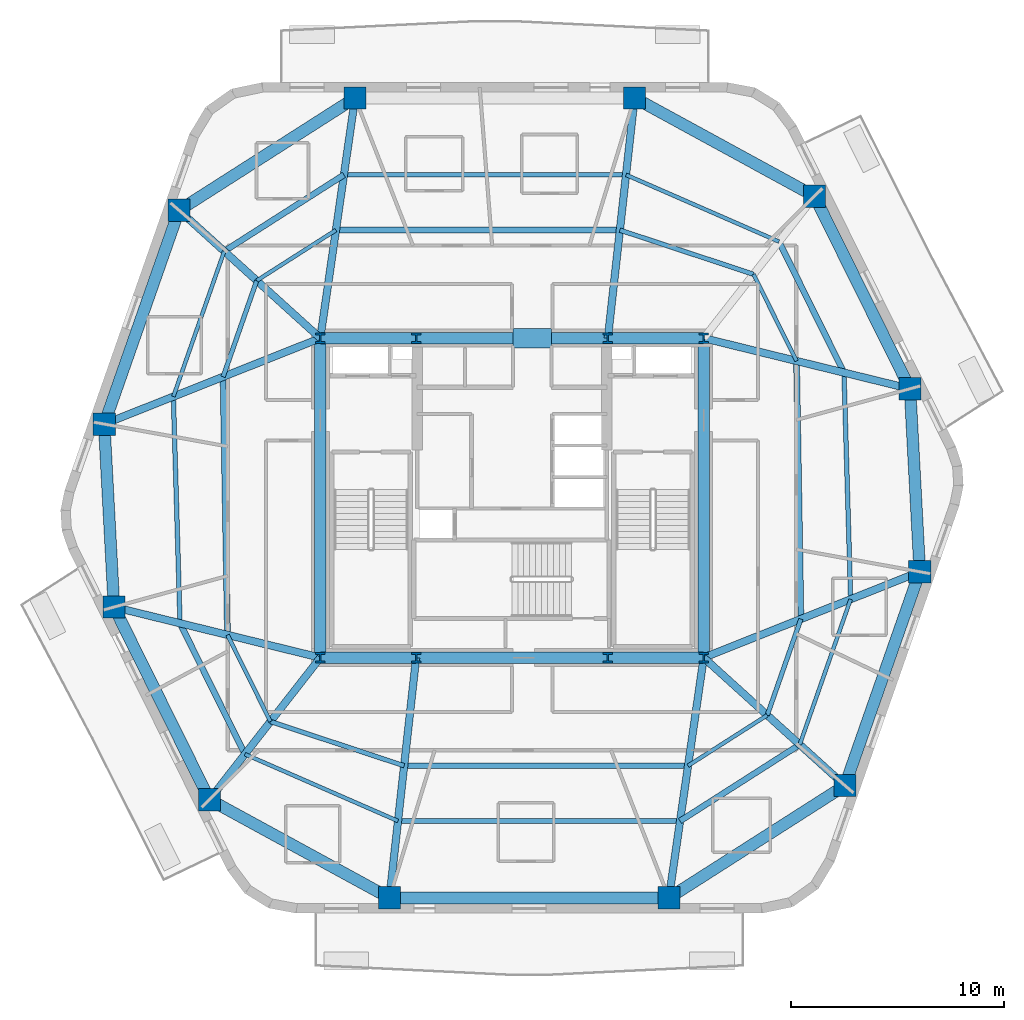
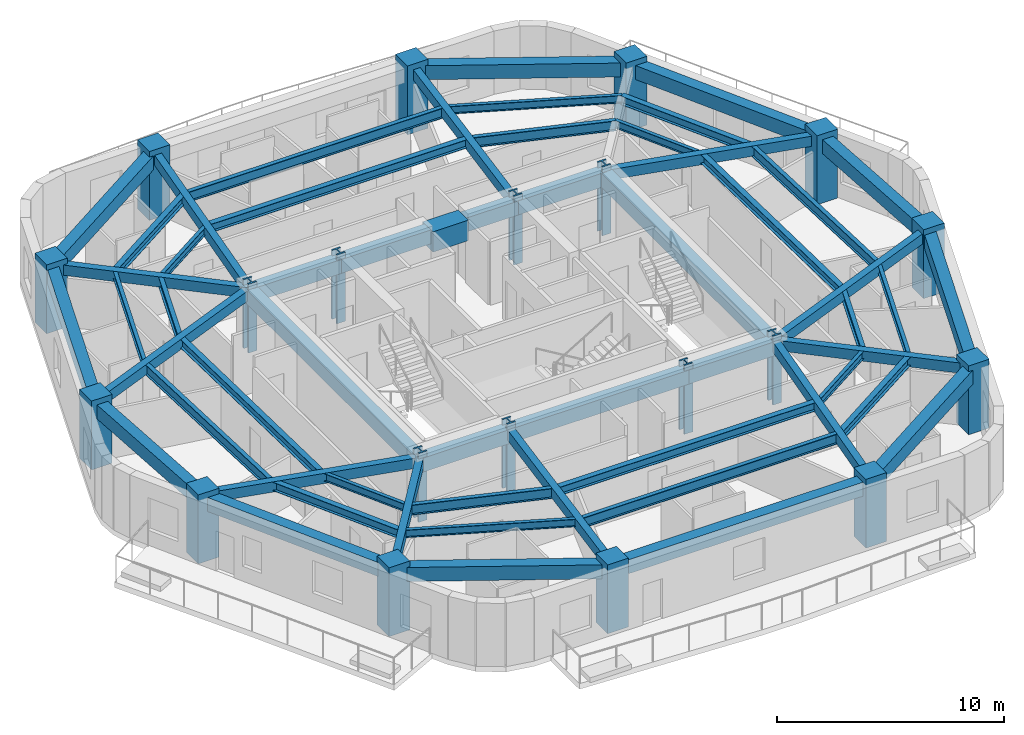
# One storey, part 1 of 10: 55 beams, 20 columns.
"""IFC4 building model written with IfcOpenShell, lengths in metres."""

from ifc_helpers import new_model, si_unit, direction, frame, origin, origin_2d, place, context, subcontext, project, spatial, rectangle, i_section, extrude, material, material_profile, profile_set, type_object, element, save


model = new_model("IFC4")

# Units and contexts
model_context = context("Model", 3, precision=1e-05, world=origin(), true_north=direction((0.0, 1.0)))
body_context = subcontext(model_context, "Body", "Model", "MODEL_VIEW")
ifc_project = project(units=[si_unit("LENGTHUNIT", "METRE"), si_unit("AREAUNIT", "SQUARE_METRE"), si_unit("VOLUMEUNIT", "CUBIC_METRE"), si_unit("PLANEANGLEUNIT", "RADIAN"), si_unit("MASSUNIT", "GRAM", prefix="KILO")], contexts=[model_context])

# Site, building, storey
site_placement = place(None, origin())
site = spatial("IfcSite", under=ifc_project, at=site_placement, CompositionType="ELEMENT")
building_placement = place(site_placement, origin())
building = spatial("IfcBuilding", under=site, at=building_placement, Name="Kilnhurst Terrace Hotel", CompositionType="ELEMENT")
storey_placement = place(building_placement, frame((0.0, 0.0, 148.0)))
storey = spatial("IfcBuildingStorey", under=building, at=storey_placement, Name="L36", CompositionType="ELEMENT", Elevation=148.0)

# Columns
ifc_material_1 = material(Name="Concrete C80/95", Category="concrete")
ifc_material_profile_1 = material_profile(ifc_material_1, rectangle(XDim=1.050048828125, YDim=1.050048828125, at=origin_2d()), Name="RC1050X1050")
ifc_profile_set_1 = profile_set([ifc_material_profile_1], Name="Concrete C80/95")
column_type_1 = type_object("IfcColumnType", Name="COL-RC-1050", PredefinedType="COLUMN", material=ifc_profile_set_1)
for number, where, z_axis, x_axis, name in (
    (1, (-5.7548828125, -18.780029296875, 0.0), (0.0, 0.0, 1.0), (1.0, 0.0, 0.0), "L36 Structural Column PC-F11"),
    (2, (7.368896484375, -18.780029296875, 0.0), (0.0, 0.0, 1.0), (1.0, 0.0, 0.0), "L36 Structural Column PC-F12"),
    (3, (15.633056640625, -13.5048828125, 0.0), (0.0, 0.0, 1.0), (1.0, 0.0, 0.0), "L36 Structural Column PC-F21"),
    (4, (19.14794921875, -3.467041015625, 0.0), (0.0, 0.0, 1.0), (1.0, 0.0, 0.0), "L36 Structural Column PC-F22"),
    (5, (18.68701171875, 5.1240234375, 0.0), (0.0, 0.0, 1.0), (1.0, 0.0, 0.0), "L36 Structural Column PC-F31"),
    (6, (14.2041015625, 14.166015625, 0.0), (0.0, 0.0, 1.0), (1.0, 0.0, 0.0), "L36 Structural Column PC-F32"),
    (7, (5.7548828125, 18.780029296875, 0.0), (0.0, 0.0, 1.0), (1.0, 0.0, 0.0), "L36 Structural Column PC-F41"),
    (8, (-7.368896484375, 18.780029296875, 0.0), (0.0, 0.0, 1.0), (1.0, 0.0, 0.0), "L36 Structural Column PC-F42"),
    (9, (-15.633056640625, 13.5048828125, 0.0), (0.0, 0.0, 1.0), (1.0, 0.0, 0.0), "L36 Structural Column PC-F51"),
    (10, (-19.14794921875, 3.467041015625, 0.0), (0.0, 0.0, 1.0), (1.0, 0.0, 0.0), "L36 Structural Column PC-F52"),
    (11, (-18.68701171875, -5.1240234375, 0.0), (0.0, 0.0, 1.0), (1.0, 0.0, 0.0), "L36 Structural Column PC-F61"),
    (12, (-14.2041015625, -14.166015625, 0.0), (0.0, 0.0, 1.0), (1.0, 0.0, 0.0), "L36 Structural Column PC-F62"),
):
    element("IfcColumn", number, at=place(storey_placement, frame(where, z_axis=z_axis, x_axis=x_axis)), inside=storey, type_object=column_type_1, Name=name, PredefinedType="COLUMN", context=body_context, shape_type="SweptSolid", body=[
        extrude(rectangle(XDim=1.050048828125, YDim=1.050048828125, at=origin_2d()), origin(), (0.0, 0.0, 1.0), 3.699951171875),
    ])
ifc_material_2 = material(Name="Steel ASTM A992 Grade 50", Category="steel")
ifc_material_profile_2 = material_profile(ifc_material_2, i_section(OverallWidth=0.43212890625, OverallDepth=0.497802734375, WebThickness=0.0556640625, FlangeThickness=0.0888671875, at=origin_2d()), Name="W14X500")
ifc_profile_set_2 = profile_set([ifc_material_profile_2], Name="Steel ASTM A992 Grade 50")
column_type_2 = type_object("IfcColumnType", Name="COL-STL-W14X500", PredefinedType="COLUMN", material=ifc_profile_set_2)
for number, where, z_axis, x_axis, name in (
    (13, (-9.0, -7.5, 0.0), (0.0, 0.0, 1.0), (1.0, 0.0, 0.0), "L36 Structural Column CC-SW"),
    (14, (-4.5, -7.5, 0.0), (0.0, 0.0, 1.0), (1.0, 0.0, 0.0), "L36 Structural Column CC-SC1"),
    (15, (4.5, -7.5, 0.0), (0.0, 0.0, 1.0), (1.0, 0.0, 0.0), "L36 Structural Column CC-SC2"),
    (16, (9.0, -7.5, 0.0), (0.0, 0.0, 1.0), (1.0, 0.0, 0.0), "L36 Structural Column CC-SE"),
    (17, (9.0, 7.5, 0.0), (0.0, 0.0, 1.0), (1.0, 0.0, 0.0), "L36 Structural Column CC-NE"),
    (18, (4.5, 7.5, 0.0), (0.0, 0.0, 1.0), (1.0, 0.0, 0.0), "L36 Structural Column CC-NC2"),
    (19, (-4.5, 7.5, 0.0), (0.0, 0.0, 1.0), (1.0, 0.0, 0.0), "L36 Structural Column CC-NC1"),
    (20, (-9.0, 7.5, 0.0), (0.0, 0.0, 1.0), (1.0, 0.0, 0.0), "L36 Structural Column CC-NW"),
):
    element("IfcColumn", number, at=place(storey_placement, frame(where, z_axis=z_axis, x_axis=x_axis)), inside=storey, type_object=column_type_2, Name=name, PredefinedType="COLUMN", context=body_context, shape_type="SweptSolid", body=[
        extrude(i_section(OverallWidth=0.43212890625, OverallDepth=0.497802734375, WebThickness=0.0556640625, FlangeThickness=0.0888671875, at=origin_2d()), origin(), (0.0, 0.0, 1.0), 3.699951171875),
    ])

# Beams
ifc_material_3 = material(Name="Concrete C50/60", Category="concrete")
ifc_material_profile_3 = material_profile(ifc_material_3, rectangle(XDim=0.35009765625, YDim=0.550048828125, at=origin_2d()), Name="RC350X550")
ifc_profile_set_3 = profile_set([ifc_material_profile_3], Name="Concrete C50/60")
beam_type_1 = type_object("IfcBeamType", Name="BM-RAD-350X550", PredefinedType="BEAM", material=ifc_profile_set_3)
beam_1_placement = place(storey_placement, frame((-4.5, -7.5, 3.125), z_axis=(-0.110566099441, -0.993868772854, 0.0), x_axis=(0.993868772854, -0.110566099441, 0.0)))
element("IfcBeam", 21, at=beam_1_placement, inside=storey, type_object=beam_type_1, Name="L36 Radial Floor Beam 1", PredefinedType="BEAM", context=body_context, shape_type="SweptSolid", body=[
    extrude(rectangle(XDim=0.35009765625, YDim=0.550048828125, at=origin_2d()), origin(), (0.0, 0.0, 1.0), 11.349609375),
])
beam_2_placement = place(storey_placement, frame((9.0, -7.5, 3.125), z_axis=(-0.143112538238, -0.989706421824, 0.0), x_axis=(0.989706421824, -0.143112538238, 0.0)))
element("IfcBeam", 22, at=beam_2_placement, inside=storey, type_object=beam_type_1, Name="L36 Radial Floor Beam 2", PredefinedType="BEAM", context=body_context, shape_type="SweptSolid", body=[
    extrude(rectangle(XDim=0.35009765625, YDim=0.550048828125, at=origin_2d()), origin(), (0.0, 0.0, 1.0), 11.3974609375),
])
beam_3_placement = place(storey_placement, frame((9.0, -7.5, 3.125), z_axis=(0.741338585645, -0.671131210296, 0.0), x_axis=(0.671131210296, 0.741338585645, 0.0)))
element("IfcBeam", 23, at=beam_3_placement, inside=storey, type_object=beam_type_1, Name="L36 Radial Floor Beam 3", PredefinedType="BEAM", context=body_context, shape_type="SweptSolid", body=[
    extrude(rectangle(XDim=0.35009765625, YDim=0.550048828125, at=origin_2d()), origin(), (0.0, 0.0, 1.0), 8.947509765625),
])
beam_4_placement = place(storey_placement, frame((9.0, -7.5, 3.125), z_axis=(0.929302373458, 0.369319778356, 0.0), x_axis=(-0.369319778356, 0.929302373458, 0.0)))
element("IfcBeam", 24, at=beam_4_placement, inside=storey, type_object=beam_type_1, Name="L36 Radial Floor Beam 4", PredefinedType="BEAM", context=body_context, shape_type="SweptSolid", body=[
    extrude(rectangle(XDim=0.35009765625, YDim=0.550048828125, at=origin_2d()), origin(), (0.0, 0.0, 1.0), 10.919921875),
])
beam_5_placement = place(storey_placement, frame((9.0, 7.5, 3.125), z_axis=(0.971212767405, -0.238213686486, 0.0), x_axis=(0.238213686486, 0.971212767405, 0.0)))
element("IfcBeam", 25, at=beam_5_placement, inside=storey, type_object=beam_type_1, Name="L36 Radial Floor Beam 5", PredefinedType="BEAM", context=body_context, shape_type="SweptSolid", body=[
    extrude(rectangle(XDim=0.35009765625, YDim=0.550048828125, at=origin_2d()), origin(), (0.0, 0.0, 1.0), 9.97412109375),
])
beam_6_placement = place(storey_placement, frame((4.5, 7.5, 3.125), z_axis=(0.110566099441, 0.993868772854, 0.0), x_axis=(-0.993868772854, 0.110566099441, 0.0)))
element("IfcBeam", 26, at=beam_6_placement, inside=storey, type_object=beam_type_1, Name="L36 Radial Floor Beam 7", PredefinedType="BEAM", context=body_context, shape_type="SweptSolid", body=[
    extrude(rectangle(XDim=0.35009765625, YDim=0.550048828125, at=origin_2d()), origin(), (0.0, 0.0, 1.0), 11.349609375),
])
beam_7_placement = place(storey_placement, frame((-9.0, 7.5, 3.125), z_axis=(0.143112538238, 0.989706421824, 0.0), x_axis=(-0.989706421824, 0.143112538238, 0.0)))
element("IfcBeam", 27, at=beam_7_placement, inside=storey, type_object=beam_type_1, Name="L36 Radial Floor Beam 8", PredefinedType="BEAM", context=body_context, shape_type="SweptSolid", body=[
    extrude(rectangle(XDim=0.35009765625, YDim=0.550048828125, at=origin_2d()), origin(), (0.0, 0.0, 1.0), 11.3974609375),
])
beam_8_placement = place(storey_placement, frame((-9.0, 7.5, 3.125), z_axis=(-0.741338585645, 0.671131210296, 0.0), x_axis=(-0.671131210296, -0.741338585645, 0.0)))
element("IfcBeam", 28, at=beam_8_placement, inside=storey, type_object=beam_type_1, Name="L36 Radial Floor Beam 9", PredefinedType="BEAM", context=body_context, shape_type="SweptSolid", body=[
    extrude(rectangle(XDim=0.35009765625, YDim=0.550048828125, at=origin_2d()), origin(), (0.0, 0.0, 1.0), 8.947509765625),
])
beam_9_placement = place(storey_placement, frame((-9.0, 7.5, 3.125), z_axis=(-0.929302373458, -0.369319778356, 0.0), x_axis=(0.369319778356, -0.929302373458, 0.0)))
element("IfcBeam", 29, at=beam_9_placement, inside=storey, type_object=beam_type_1, Name="L36 Radial Floor Beam 10", PredefinedType="BEAM", context=body_context, shape_type="SweptSolid", body=[
    extrude(rectangle(XDim=0.35009765625, YDim=0.550048828125, at=origin_2d()), origin(), (0.0, 0.0, 1.0), 10.919921875),
])
beam_10_placement = place(storey_placement, frame((-9.0, -7.5, 3.125), z_axis=(-0.971212767405, 0.238213686486, 0.0), x_axis=(-0.238213686486, -0.971212767405, 0.0)))
element("IfcBeam", 30, at=beam_10_placement, inside=storey, type_object=beam_type_1, Name="L36 Radial Floor Beam 11", PredefinedType="BEAM", context=body_context, shape_type="SweptSolid", body=[
    extrude(rectangle(XDim=0.35009765625, YDim=0.550048828125, at=origin_2d()), origin(), (0.0, 0.0, 1.0), 9.97412109375),
])
beam_11_placement = place(storey_placement, frame((-9.0, -7.5, 3.125), z_axis=(-0.615370616457, -0.78823791104, 0.0), x_axis=(0.78823791104, -0.615370616457, 0.0)))
element("IfcBeam", 31, at=beam_11_placement, inside=storey, type_object=beam_type_1, Name="L36 Radial Floor Beam 12", PredefinedType="BEAM", context=body_context, shape_type="SweptSolid", body=[
    extrude(rectangle(XDim=0.35009765625, YDim=0.550048828125, at=origin_2d()), origin(), (0.0, 0.0, 1.0), 8.456787109375),
])
ifc_material_profile_4 = material_profile(ifc_material_3, rectangle(XDim=0.550048828125, YDim=0.75, at=origin_2d()), Name="RC550X750")
ifc_profile_set_4 = profile_set([ifc_material_profile_4], Name="Concrete C50/60")
beam_type_2 = type_object("IfcBeamType", Name="BM-SPN-550X750", PredefinedType="SPANDREL", material=ifc_profile_set_4)
beam_12_placement = place(storey_placement, frame((-9.0, 7.5, 3.02490234375), z_axis=(1.0, 0.0, 0.0), x_axis=(0.0, 1.0, 0.0)))
element("IfcBeam", 32, at=beam_12_placement, inside=storey, type_object=beam_type_2, Name="L36 Core Tie Beam CC-NW to CC-NC1", PredefinedType="SPANDREL", context=body_context, shape_type="SweptSolid", body=[
    extrude(rectangle(XDim=0.550048828125, YDim=0.75, at=origin_2d()), origin(), (0.0, 0.0, 1.0), 4.5),
])
beam_13_placement = place(storey_placement, frame((-4.5, 7.5, 3.02490234375), z_axis=(1.0, 0.0, 0.0), x_axis=(0.0, 1.0, 0.0)))
element("IfcBeam", 33, at=beam_13_placement, inside=storey, type_object=beam_type_2, Name="L36 Core Tie Beam CC-NC1 to CC-NC2", PredefinedType="SPANDREL", context=body_context, shape_type="SweptSolid", body=[
    extrude(rectangle(XDim=0.550048828125, YDim=0.75, at=origin_2d()), origin(), (0.0, 0.0, 1.0), 9.0),
])
for number, where, z_axis, x_axis, name in (
    (34, (4.5, 7.5, 3.02490234375), (1.0, 0.0, 0.0), (0.0, 1.0, 0.0), "L36 Core Tie Beam CC-NC2 to CC-NE"),
    (35, (-9.0, -7.5, 3.02490234375), (1.0, 0.0, 0.0), (0.0, 1.0, 0.0), "L36 Core Tie Beam CC-SW to CC-SC1"),
):
    element("IfcBeam", number, at=place(storey_placement, frame(where, z_axis=z_axis, x_axis=x_axis)), inside=storey, type_object=beam_type_2, Name=name, PredefinedType="SPANDREL", context=body_context, shape_type="SweptSolid", body=[
        extrude(rectangle(XDim=0.550048828125, YDim=0.75, at=origin_2d()), origin(), (0.0, 0.0, 1.0), 4.5),
    ])
beam_14_placement = place(storey_placement, frame((-4.5, -7.5, 3.02490234375), z_axis=(1.0, 0.0, 0.0), x_axis=(0.0, 1.0, 0.0)))
element("IfcBeam", 36, at=beam_14_placement, inside=storey, type_object=beam_type_2, Name="L36 Core Tie Beam CC-SC1 to CC-SC2", PredefinedType="SPANDREL", context=body_context, shape_type="SweptSolid", body=[
    extrude(rectangle(XDim=0.550048828125, YDim=0.75, at=origin_2d()), origin(), (0.0, 0.0, 1.0), 9.0),
])
beam_15_placement = place(storey_placement, frame((4.5, -7.5, 3.02490234375), z_axis=(1.0, 0.0, 0.0), x_axis=(0.0, 1.0, 0.0)))
element("IfcBeam", 37, at=beam_15_placement, inside=storey, type_object=beam_type_2, Name="L36 Core Tie Beam CC-SC2 to CC-SE", PredefinedType="SPANDREL", context=body_context, shape_type="SweptSolid", body=[
    extrude(rectangle(XDim=0.550048828125, YDim=0.75, at=origin_2d()), origin(), (0.0, 0.0, 1.0), 4.5),
])
for number, where, z_axis, x_axis, name in (
    (38, (-9.0, -7.5, 3.02490234375), (0.0, 1.0, 0.0), (-1.0, 0.0, 0.0), "L36 Core Tie Beam CC-SW to CC-NW"),
    (39, (9.0, -7.5, 3.02490234375), (0.0, 1.0, 0.0), (-1.0, 0.0, 0.0), "L36 Core Tie Beam CC-SE to CC-NE"),
):
    element("IfcBeam", number, at=place(storey_placement, frame(where, z_axis=z_axis, x_axis=x_axis)), inside=storey, type_object=beam_type_2, Name=name, PredefinedType="SPANDREL", context=body_context, shape_type="SweptSolid", body=[
        extrude(rectangle(XDim=0.550048828125, YDim=0.75, at=origin_2d()), origin(), (0.0, 0.0, 1.0), 15.0),
    ])
beam_16_placement = place(storey_placement, frame((-5.7548828125, -18.780029296875, 3.02490234375), z_axis=(1.0, 0.0, 0.0), x_axis=(0.0, 1.0, 0.0)))
element("IfcBeam", 40, at=beam_16_placement, inside=storey, type_object=beam_type_2, Name="L36 Perimeter Spandrel Beam 1", PredefinedType="SPANDREL", context=body_context, shape_type="SweptSolid", body=[
    extrude(rectangle(XDim=0.550048828125, YDim=0.75, at=origin_2d()), origin(), (0.0, 0.0, 1.0), 13.123779296875),
])
beam_17_placement = place(storey_placement, frame((7.368896484375, -18.780029296875, 3.02490234375), z_axis=(0.842915241256, 0.538046369803, 0.0), x_axis=(-0.538046369803, 0.842915241256, 0.0)))
element("IfcBeam", 41, at=beam_17_placement, inside=storey, type_object=beam_type_2, Name="L36 Perimeter Spandrel Beam 2", PredefinedType="SPANDREL", context=body_context, shape_type="SweptSolid", body=[
    extrude(rectangle(XDim=0.550048828125, YDim=0.75, at=origin_2d()), origin(), (0.0, 0.0, 1.0), 9.80419921875),
])
beam_18_placement = place(storey_placement, frame((15.633056640625, -13.5048828125, 3.02490234375), z_axis=(0.330488460168, 0.943810032632, 0.0), x_axis=(-0.943810032632, 0.330488460168, 0.0)))
element("IfcBeam", 42, at=beam_18_placement, inside=storey, type_object=beam_type_2, Name="L36 Perimeter Spandrel Beam 3", PredefinedType="SPANDREL", context=body_context, shape_type="SweptSolid", body=[
    extrude(rectangle(XDim=0.550048828125, YDim=0.75, at=origin_2d()), origin(), (0.0, 0.0, 1.0), 10.635498046875),
])
beam_19_placement = place(storey_placement, frame((19.14794921875, -3.467041015625, 3.02490234375), z_axis=(-0.053576072051, 0.998563770875, 0.0), x_axis=(-0.998563770875, -0.053576072051, 0.0)))
element("IfcBeam", 43, at=beam_19_placement, inside=storey, type_object=beam_type_2, Name="L36 Perimeter Spandrel Beam 4", PredefinedType="SPANDREL", context=body_context, shape_type="SweptSolid", body=[
    extrude(rectangle(XDim=0.550048828125, YDim=0.75, at=origin_2d()), origin(), (0.0, 0.0, 1.0), 8.603515625),
])
beam_20_placement = place(storey_placement, frame((18.68701171875, 5.1240234375, 3.02490234375), z_axis=(-0.444192032261, 0.895931603682, 0.0), x_axis=(-0.895931603682, -0.444192032261, 0.0)))
element("IfcBeam", 44, at=beam_20_placement, inside=storey, type_object=beam_type_2, Name="L36 Perimeter Spandrel Beam 5", PredefinedType="SPANDREL", context=body_context, shape_type="SweptSolid", body=[
    extrude(rectangle(XDim=0.550048828125, YDim=0.75, at=origin_2d()), origin(), (0.0, 0.0, 1.0), 10.09228515625),
])
beam_21_placement = place(storey_placement, frame((14.2041015625, 14.166015625, 3.02490234375), z_axis=(-0.87766189723, 0.479280287672, 0.0), x_axis=(-0.479280287672, -0.87766189723, 0.0)))
element("IfcBeam", 45, at=beam_21_placement, inside=storey, type_object=beam_type_2, Name="L36 Perimeter Spandrel Beam 6", PredefinedType="SPANDREL", context=body_context, shape_type="SweptSolid", body=[
    extrude(rectangle(XDim=0.550048828125, YDim=0.75, at=origin_2d()), origin(), (0.0, 0.0, 1.0), 9.626953125),
])
beam_22_placement = place(storey_placement, frame((-7.368896484375, 18.780029296875, 3.02490234375), z_axis=(-0.842915241256, -0.538046369803, 0.0), x_axis=(0.538046369803, -0.842915241256, 0.0)))
element("IfcBeam", 46, at=beam_22_placement, inside=storey, type_object=beam_type_2, Name="L36 Perimeter Spandrel Beam 8", PredefinedType="SPANDREL", context=body_context, shape_type="SweptSolid", body=[
    extrude(rectangle(XDim=0.550048828125, YDim=0.75, at=origin_2d()), origin(), (0.0, 0.0, 1.0), 9.80419921875),
])
beam_23_placement = place(storey_placement, frame((-15.633056640625, 13.5048828125, 3.02490234375), z_axis=(-0.330488460168, -0.943810032632, 0.0), x_axis=(0.943810032632, -0.330488460168, 0.0)))
element("IfcBeam", 47, at=beam_23_placement, inside=storey, type_object=beam_type_2, Name="L36 Perimeter Spandrel Beam 9", PredefinedType="SPANDREL", context=body_context, shape_type="SweptSolid", body=[
    extrude(rectangle(XDim=0.550048828125, YDim=0.75, at=origin_2d()), origin(), (0.0, 0.0, 1.0), 10.635498046875),
])
beam_24_placement = place(storey_placement, frame((-19.14794921875, 3.467041015625, 3.02490234375), z_axis=(0.053576072051, -0.998563770875, 0.0), x_axis=(0.998563770875, 0.053576072051, 0.0)))
element("IfcBeam", 48, at=beam_24_placement, inside=storey, type_object=beam_type_2, Name="L36 Perimeter Spandrel Beam 10", PredefinedType="SPANDREL", context=body_context, shape_type="SweptSolid", body=[
    extrude(rectangle(XDim=0.550048828125, YDim=0.75, at=origin_2d()), origin(), (0.0, 0.0, 1.0), 8.603515625),
])
beam_25_placement = place(storey_placement, frame((-18.68701171875, -5.1240234375, 3.02490234375), z_axis=(0.444192032261, -0.895931603682, 0.0), x_axis=(0.895931603682, 0.444192032261, 0.0)))
element("IfcBeam", 49, at=beam_25_placement, inside=storey, type_object=beam_type_2, Name="L36 Perimeter Spandrel Beam 11", PredefinedType="SPANDREL", context=body_context, shape_type="SweptSolid", body=[
    extrude(rectangle(XDim=0.550048828125, YDim=0.75, at=origin_2d()), origin(), (0.0, 0.0, 1.0), 10.09228515625),
])
beam_26_placement = place(storey_placement, frame((-14.2041015625, -14.166015625, 3.02490234375), z_axis=(0.87766189723, -0.479280287672, 0.0), x_axis=(0.479280287672, 0.87766189723, 0.0)))
element("IfcBeam", 50, at=beam_26_placement, inside=storey, type_object=beam_type_2, Name="L36 Perimeter Spandrel Beam 12", PredefinedType="SPANDREL", context=body_context, shape_type="SweptSolid", body=[
    extrude(rectangle(XDim=0.550048828125, YDim=0.75, at=origin_2d()), origin(), (0.0, 0.0, 1.0), 9.626953125),
])
ifc_material_profile_5 = material_profile(ifc_material_2, i_section(OverallWidth=0.180908203125, OverallDepth=0.417236328125, WebThickness=0.010986328125, FlangeThickness=0.018310546875, at=origin_2d()), Name="W16X57")
ifc_profile_set_5 = profile_set([ifc_material_profile_5], Name="Steel ASTM A992 Grade 50")
beam_type_3 = type_object("IfcBeamType", Name="JST-STL-W16X57", PredefinedType="JOIST", material=ifc_profile_set_5)
beam_27_placement = place(storey_placement, frame((13.510498046875, -11.58349609375, 3.19091796875), z_axis=(0.330481239411, 0.943812561051, 0.0), x_axis=(-0.943812561051, 0.330481239411, 0.0)))
element("IfcBeam", 51, at=beam_27_placement, inside=storey, type_object=beam_type_3, Name="L36 Secondary Floor Steel Joist OUT.3", PredefinedType="JOIST", context=body_context, shape_type="SweptSolid", body=[
    extrude(i_section(OverallWidth=0.180908203125, OverallDepth=0.417236328125, WebThickness=0.010986328125, FlangeThickness=0.018310546875, at=origin_2d()), origin(), (0.0, 0.0, 1.0), 7.232177734375),
])
beam_28_placement = place(storey_placement, frame((12.538818359375, 12.032958984375, 3.19091796875), z_axis=(-0.916443679054, 0.400163695407, 0.0), x_axis=(-0.400163695407, -0.916443679054, 0.0)))
element("IfcBeam", 52, at=beam_28_placement, inside=storey, type_object=beam_type_3, Name="L36 Secondary Floor Steel Joist OUT.6", PredefinedType="JOIST", context=body_context, shape_type="SweptSolid", body=[
    extrude(i_section(OverallWidth=0.180908203125, OverallDepth=0.417236328125, WebThickness=0.010986328125, FlangeThickness=0.018310546875, at=origin_2d()), origin(), (0.0, 0.0, 1.0), 7.84033203125),
])
beam_29_placement = place(storey_placement, frame((-13.510498046875, 11.58349609375, 3.19091796875), z_axis=(-0.330481239411, -0.943812561051, 0.0), x_axis=(0.943812561051, -0.330481239411, 0.0)))
element("IfcBeam", 53, at=beam_29_placement, inside=storey, type_object=beam_type_3, Name="L36 Secondary Floor Steel Joist OUT.9", PredefinedType="JOIST", context=body_context, shape_type="SweptSolid", body=[
    extrude(i_section(OverallWidth=0.180908203125, OverallDepth=0.417236328125, WebThickness=0.010986328125, FlangeThickness=0.018310546875, at=origin_2d()), origin(), (0.0, 0.0, 1.0), 7.232177734375),
])
beam_30_placement = place(storey_placement, frame((-12.538818359375, -12.032958984375, 3.19091796875), z_axis=(0.916443679054, -0.400163695407, 0.0), x_axis=(0.400163695407, 0.916443679054, 0.0)))
element("IfcBeam", 54, at=beam_30_placement, inside=storey, type_object=beam_type_3, Name="L36 Secondary Floor Steel Joist OUT.12", PredefinedType="JOIST", context=body_context, shape_type="SweptSolid", body=[
    extrude(i_section(OverallWidth=0.180908203125, OverallDepth=0.417236328125, WebThickness=0.010986328125, FlangeThickness=0.018310546875, at=origin_2d()), origin(), (0.0, 0.0, 1.0), 7.84033203125),
])
beam_31_placement = place(storey_placement, frame((8.26611328125, -12.575927734375, 3.19091796875), z_axis=(0.842910995806, 0.53805302076, 0.0), x_axis=(-0.53805302076, 0.842910995806, 0.0)))
element("IfcBeam", 55, at=beam_31_placement, inside=storey, type_object=beam_type_3, Name="L36 Secondary Floor Steel Joist IN.2", PredefinedType="JOIST", context=body_context, shape_type="SweptSolid", body=[
    extrude(i_section(OverallWidth=0.180908203125, OverallDepth=0.417236328125, WebThickness=0.010986328125, FlangeThickness=0.018310546875, at=origin_2d()), origin(), (0.0, 0.0, 1.0), 4.411865234375),
])
beam_32_placement = place(storey_placement, frame((13.359130859375, 6.430908203125, 3.19091796875), z_axis=(-0.444200626094, 0.895927342912, 0.0), x_axis=(-0.895927342912, -0.444200626094, 0.0)))
element("IfcBeam", 56, at=beam_32_placement, inside=storey, type_object=beam_type_3, Name="L36 Secondary Floor Steel Joist IN.5", PredefinedType="JOIST", context=body_context, shape_type="SweptSolid", body=[
    extrude(i_section(OverallWidth=0.180908203125, OverallDepth=0.417236328125, WebThickness=0.010986328125, FlangeThickness=0.018310546875, at=origin_2d()), origin(), (0.0, 0.0, 1.0), 4.54150390625),
])
beam_33_placement = place(storey_placement, frame((-8.26611328125, 12.575927734375, 3.19091796875), z_axis=(-0.842910995806, -0.53805302076, 0.0), x_axis=(0.53805302076, -0.842910995806, 0.0)))
element("IfcBeam", 57, at=beam_33_placement, inside=storey, type_object=beam_type_3, Name="L36 Secondary Floor Steel Joist IN.8", PredefinedType="JOIST", context=body_context, shape_type="SweptSolid", body=[
    extrude(i_section(OverallWidth=0.180908203125, OverallDepth=0.417236328125, WebThickness=0.010986328125, FlangeThickness=0.018310546875, at=origin_2d()), origin(), (0.0, 0.0, 1.0), 4.411865234375),
])
beam_34_placement = place(storey_placement, frame((-13.359130859375, -6.430908203125, 3.19091796875), z_axis=(0.444200626094, -0.895927342912, 0.0), x_axis=(0.895927342912, 0.444200626094, 0.0)))
element("IfcBeam", 58, at=beam_34_placement, inside=storey, type_object=beam_type_3, Name="L36 Secondary Floor Steel Joist IN.11", PredefinedType="JOIST", context=body_context, shape_type="SweptSolid", body=[
    extrude(i_section(OverallWidth=0.180908203125, OverallDepth=0.417236328125, WebThickness=0.010986328125, FlangeThickness=0.018310546875, at=origin_2d()), origin(), (0.0, 0.0, 1.0), 4.54150390625),
])
ifc_material_profile_6 = material_profile(ifc_material_2, i_section(OverallWidth=0.279296875, OverallDepth=0.462890625, WebThickness=0.0107421875, FlangeThickness=0.017333984375, at=origin_2d()), Name="W18X76")
ifc_profile_set_6 = profile_set([ifc_material_profile_6], Name="Steel ASTM A992 Grade 50")
beam_type_4 = type_object("IfcBeamType", Name="JST-STL-W18X76", PredefinedType="JOIST", material=ifc_profile_set_6)
beam_35_placement = place(storey_placement, frame((7.890869140625, -15.17041015625, 3.16796875), z_axis=(0.842927863369, 0.538026595213, 0.0), x_axis=(-0.538026595213, 0.842927863369, 0.0)))
element("IfcBeam", 59, at=beam_35_placement, inside=storey, type_object=beam_type_4, Name="L36 Secondary Floor Steel Joist OUT.2", PredefinedType="JOIST", context=body_context, shape_type="SweptSolid", body=[
    extrude(i_section(OverallWidth=0.279296875, OverallDepth=0.462890625, WebThickness=0.0107421875, FlangeThickness=0.017333984375, at=origin_2d()), origin(), (0.0, 0.0, 1.0), 6.666748046875),
])
beam_36_placement = place(storey_placement, frame((15.587158203125, 5.88427734375, 3.16796875), z_axis=(-0.444180101574, 0.895937518673, 0.0), x_axis=(-0.895937518673, -0.444180101574, 0.0)))
element("IfcBeam", 60, at=beam_36_placement, inside=storey, type_object=beam_type_4, Name="L36 Secondary Floor Steel Joist OUT.5", PredefinedType="JOIST", context=body_context, shape_type="SweptSolid", body=[
    extrude(i_section(OverallWidth=0.279296875, OverallDepth=0.462890625, WebThickness=0.0107421875, FlangeThickness=0.017333984375, at=origin_2d()), origin(), (0.0, 0.0, 1.0), 6.86279296875),
])
beam_37_placement = place(storey_placement, frame((-7.890869140625, 15.17041015625, 3.16796875), z_axis=(-0.842927863369, -0.538026595213, 0.0), x_axis=(0.538026595213, -0.842927863369, 0.0)))
element("IfcBeam", 61, at=beam_37_placement, inside=storey, type_object=beam_type_4, Name="L36 Secondary Floor Steel Joist OUT.8", PredefinedType="JOIST", context=body_context, shape_type="SweptSolid", body=[
    extrude(i_section(OverallWidth=0.279296875, OverallDepth=0.462890625, WebThickness=0.0107421875, FlangeThickness=0.017333984375, at=origin_2d()), origin(), (0.0, 0.0, 1.0), 6.666748046875),
])
beam_38_placement = place(storey_placement, frame((-15.587158203125, -5.88427734375, 3.16796875), z_axis=(0.444180101574, -0.895937518673, 0.0), x_axis=(0.895937518673, 0.444180101574, 0.0)))
element("IfcBeam", 62, at=beam_38_placement, inside=storey, type_object=beam_type_4, Name="L36 Secondary Floor Steel Joist OUT.11", PredefinedType="JOIST", context=body_context, shape_type="SweptSolid", body=[
    extrude(i_section(OverallWidth=0.279296875, OverallDepth=0.462890625, WebThickness=0.0107421875, FlangeThickness=0.017333984375, at=origin_2d()), origin(), (0.0, 0.0, 1.0), 6.86279296875),
])
beam_39_placement = place(storey_placement, frame((-5.064697265625, -12.575927734375, 3.16796875), z_axis=(1.0, 0.0, 0.0), x_axis=(0.0, 1.0, 0.0)))
element("IfcBeam", 63, at=beam_39_placement, inside=storey, type_object=beam_type_4, Name="L36 Secondary Floor Steel Joist IN.1", PredefinedType="JOIST", context=body_context, shape_type="SweptSolid", body=[
    extrude(i_section(OverallWidth=0.279296875, OverallDepth=0.462890625, WebThickness=0.0107421875, FlangeThickness=0.017333984375, at=origin_2d()), origin(), (0.0, 0.0, 1.0), 13.330810546875),
])
beam_40_placement = place(storey_placement, frame((13.566650390625, -5.685302734375, 3.16796875), z_axis=(-0.017124916462, 0.999853357866, 0.0), x_axis=(-0.999853357866, -0.017124916462, 0.0)))
element("IfcBeam", 64, at=beam_40_placement, inside=storey, type_object=beam_type_4, Name="L36 Secondary Floor Steel Joist IN.4", PredefinedType="JOIST", context=body_context, shape_type="SweptSolid", body=[
    extrude(i_section(OverallWidth=0.279296875, OverallDepth=0.462890625, WebThickness=0.0107421875, FlangeThickness=0.017333984375, at=origin_2d()), origin(), (0.0, 0.0, 1.0), 12.117919921875),
])
beam_41_placement = place(storey_placement, frame((5.064697265625, 12.575927734375, 3.16796875), z_axis=(-1.0, 0.0, 0.0), x_axis=(0.0, -1.0, 0.0)))
element("IfcBeam", 65, at=beam_41_placement, inside=storey, type_object=beam_type_4, Name="L36 Secondary Floor Steel Joist IN.7", PredefinedType="JOIST", context=body_context, shape_type="SweptSolid", body=[
    extrude(i_section(OverallWidth=0.279296875, OverallDepth=0.462890625, WebThickness=0.0107421875, FlangeThickness=0.017333984375, at=origin_2d()), origin(), (0.0, 0.0, 1.0), 13.330810546875),
])
beam_42_placement = place(storey_placement, frame((-13.566650390625, 5.685302734375, 3.16796875), z_axis=(0.017124916462, -0.999853357866, 0.0), x_axis=(0.999853357866, 0.017124916462, 0.0)))
element("IfcBeam", 66, at=beam_42_placement, inside=storey, type_object=beam_type_4, Name="L36 Secondary Floor Steel Joist IN.10", PredefinedType="JOIST", context=body_context, shape_type="SweptSolid", body=[
    extrude(i_section(OverallWidth=0.279296875, OverallDepth=0.462890625, WebThickness=0.0107421875, FlangeThickness=0.017333984375, at=origin_2d()), origin(), (0.0, 0.0, 1.0), 12.117919921875),
])
ifc_material_profile_7 = material_profile(ifc_material_2, i_section(OverallWidth=0.2138671875, OverallDepth=0.549072265625, WebThickness=0.0146484375, FlangeThickness=0.023681640625, at=origin_2d()), Name="W21X93")
ifc_profile_set_7 = profile_set([ifc_material_profile_7], Name="Steel ASTM A992 Grade 50")
beam_type_5 = type_object("IfcBeamType", Name="JST-STL-W21X93", PredefinedType="JOIST", material=ifc_profile_set_7)
beam_43_placement = place(storey_placement, frame((-5.353515625, -15.17041015625, 3.125), z_axis=(1.0, 0.0, 0.0), x_axis=(0.0, 1.0, 0.0)))
element("IfcBeam", 67, at=beam_43_placement, inside=storey, type_object=beam_type_5, Name="L36 Secondary Floor Steel Joist OUT.1", PredefinedType="JOIST", context=body_context, shape_type="SweptSolid", body=[
    extrude(i_section(OverallWidth=0.2138671875, OverallDepth=0.549072265625, WebThickness=0.0146484375, FlangeThickness=0.023681640625, at=origin_2d()), origin(), (0.0, 0.0, 1.0), 13.244384765625),
])
beam_44_placement = place(storey_placement, frame((15.900634765625, -4.757568359375, 3.125), z_axis=(-0.029444201298, 0.999566425512, 0.0), x_axis=(-0.999566425512, -0.029444201298, 0.0)))
element("IfcBeam", 68, at=beam_44_placement, inside=storey, type_object=beam_type_5, Name="L36 Secondary Floor Steel Joist OUT.4", PredefinedType="JOIST", context=body_context, shape_type="SweptSolid", body=[
    extrude(i_section(OverallWidth=0.2138671875, OverallDepth=0.549072265625, WebThickness=0.0146484375, FlangeThickness=0.023681640625, at=origin_2d()), origin(), (0.0, 0.0, 1.0), 10.646484375),
])
beam_45_placement = place(storey_placement, frame((5.353515625, 15.17041015625, 3.125), z_axis=(-1.0, 0.0, 0.0), x_axis=(0.0, -1.0, 0.0)))
element("IfcBeam", 69, at=beam_45_placement, inside=storey, type_object=beam_type_5, Name="L36 Secondary Floor Steel Joist OUT.7", PredefinedType="JOIST", context=body_context, shape_type="SweptSolid", body=[
    extrude(i_section(OverallWidth=0.2138671875, OverallDepth=0.549072265625, WebThickness=0.0146484375, FlangeThickness=0.023681640625, at=origin_2d()), origin(), (0.0, 0.0, 1.0), 13.244384765625),
])
beam_46_placement = place(storey_placement, frame((-15.900634765625, 4.757568359375, 3.125), z_axis=(0.029444201298, -0.999566425512, 0.0), x_axis=(0.999566425512, 0.029444201298, 0.0)))
element("IfcBeam", 70, at=beam_46_placement, inside=storey, type_object=beam_type_5, Name="L36 Secondary Floor Steel Joist OUT.10", PredefinedType="JOIST", context=body_context, shape_type="SweptSolid", body=[
    extrude(i_section(OverallWidth=0.2138671875, OverallDepth=0.549072265625, WebThickness=0.0146484375, FlangeThickness=0.023681640625, at=origin_2d()), origin(), (0.0, 0.0, 1.0), 10.646484375),
])
beam_47_placement = place(storey_placement, frame((11.98486328125, -10.2021484375, 3.125), z_axis=(0.330516298629, 0.943800284139, 0.0), x_axis=(-0.943800284139, 0.330516298629, 0.0)))
element("IfcBeam", 71, at=beam_47_placement, inside=storey, type_object=beam_type_5, Name="L36 Secondary Floor Steel Joist IN.3", PredefinedType="JOIST", context=body_context, shape_type="SweptSolid", body=[
    extrude(i_section(OverallWidth=0.2138671875, OverallDepth=0.549072265625, WebThickness=0.0146484375, FlangeThickness=0.023681640625, at=origin_2d()), origin(), (0.0, 0.0, 1.0), 4.785888671875),
])
beam_48_placement = place(storey_placement, frame((11.341796875, 10.499755859375, 3.125), z_axis=(-0.949415572736, 0.314022404051, 0.0), x_axis=(-0.314022404051, -0.949415572736, 0.0)))
element("IfcBeam", 72, at=beam_48_placement, inside=storey, type_object=beam_type_5, Name="L36 Secondary Floor Steel Joist IN.6", PredefinedType="JOIST", context=body_context, shape_type="SweptSolid", body=[
    extrude(i_section(OverallWidth=0.2138671875, OverallDepth=0.549072265625, WebThickness=0.0146484375, FlangeThickness=0.023681640625, at=origin_2d()), origin(), (0.0, 0.0, 1.0), 6.611572265625),
])
beam_49_placement = place(storey_placement, frame((-11.98486328125, 10.2021484375, 3.125), z_axis=(-0.330516298629, -0.943800284139, 0.0), x_axis=(0.943800284139, -0.330516298629, 0.0)))
element("IfcBeam", 73, at=beam_49_placement, inside=storey, type_object=beam_type_5, Name="L36 Secondary Floor Steel Joist IN.9", PredefinedType="JOIST", context=body_context, shape_type="SweptSolid", body=[
    extrude(i_section(OverallWidth=0.2138671875, OverallDepth=0.549072265625, WebThickness=0.0146484375, FlangeThickness=0.023681640625, at=origin_2d()), origin(), (0.0, 0.0, 1.0), 4.785888671875),
])
beam_50_placement = place(storey_placement, frame((-11.341796875, -10.499755859375, 3.125), z_axis=(0.949415572736, -0.314022404051, 0.0), x_axis=(0.314022404051, 0.949415572736, 0.0)))
element("IfcBeam", 74, at=beam_50_placement, inside=storey, type_object=beam_type_5, Name="L36 Secondary Floor Steel Joist IN.12", PredefinedType="JOIST", context=body_context, shape_type="SweptSolid", body=[
    extrude(i_section(OverallWidth=0.2138671875, OverallDepth=0.549072265625, WebThickness=0.0146484375, FlangeThickness=0.023681640625, at=origin_2d()), origin(), (0.0, 0.0, 1.0), 6.611572265625),
])
ifc_material_profile_8 = material_profile(ifc_material_1, rectangle(XDim=0.89990234375, YDim=1.10009765625, at=origin_2d()), Name="RC900X1100")
ifc_profile_set_8 = profile_set([ifc_material_profile_8], Name="Concrete C80/95")
beam_type_6 = type_object("IfcBeamType", Name="LNT-CB-900X1100", PredefinedType="LINTEL", material=ifc_profile_set_8)
beam_51_placement = place(storey_placement, frame((0.050048828125, 7.5, 2.85009765625), z_axis=(1.0, 0.0, 0.0), x_axis=(0.0, 1.0, 0.0)))
element("IfcBeam", 75, at=beam_51_placement, inside=storey, type_object=beam_type_6, Name="L36 North Core Coupling Link Beam", PredefinedType="LINTEL", context=body_context, shape_type="SweptSolid", body=[
    extrude(rectangle(XDim=0.89990234375, YDim=1.10009765625, at=origin_2d()), origin(), (0.0, 0.0, 1.0), 1.800048828125),
])

save(model, "model.ifc")
